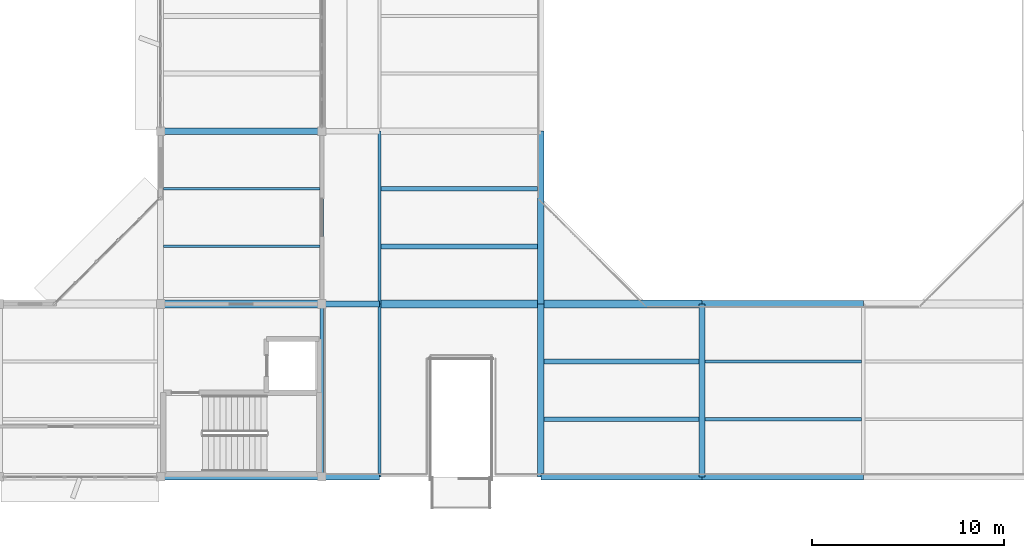
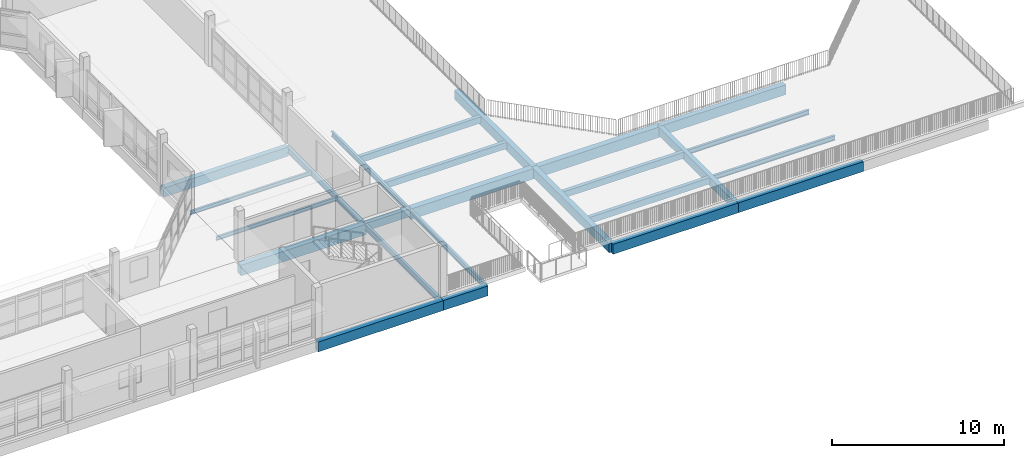
# One storey, part 7 of 42: 25 beams.
"""IFC4 building model written with IfcOpenShell, lengths in metres."""

from ifc_helpers import new_model, si_unit, direction, frame, origin, origin_2d, place, context, subcontext, project, spatial, rectangle, i_section, extrude, material, material_profile, profile_set, type_object, element, save


model = new_model("IFC4")

# Units and contexts
model_context = context("Model", 3, precision=1e-05, world=origin(), true_north=direction((0.0, 1.0)))
body_context = subcontext(model_context, "Body", "Model", "MODEL_VIEW")
ifc_project = project(units=[si_unit("LENGTHUNIT", "METRE"), si_unit("AREAUNIT", "SQUARE_METRE"), si_unit("VOLUMEUNIT", "CUBIC_METRE"), si_unit("PLANEANGLEUNIT", "RADIAN"), si_unit("MASSUNIT", "GRAM", prefix="KILO")], contexts=[model_context])

# Site, building, storey
site_placement = place(None, origin())
site = spatial("IfcSite", under=ifc_project, at=site_placement, CompositionType="ELEMENT")
building_placement = place(site_placement, origin())
building = spatial("IfcBuilding", under=site, at=building_placement, Name="Vanh Quang Courtyard School", CompositionType="ELEMENT")
storey_placement = place(building_placement, frame((0.0, 0.0, 15.0)))
storey = spatial("IfcBuildingStorey", under=building, at=storey_placement, Name="L04", CompositionType="ELEMENT", Elevation=15.0)

# Beams
ifc_material_1 = material(Name="Concrete C35/45", Category="concrete")
ifc_material_profile_1 = material_profile(ifc_material_1, rectangle(XDim=0.300048828125, YDim=0.550048828125, at=origin_2d()), Name="RC-BM 300x550")
ifc_profile_set_1 = profile_set([ifc_material_profile_1], Name="Concrete C35/45")
beam_type_1 = type_object("IfcBeamType", Name="BM-RC-300x550", PredefinedType="BEAM", material=ifc_profile_set_1)
beam_1_placement = place(storey_placement, frame((74.39990234375, 41.39990234375, -0.594970703125), z_axis=(1.0, 0.0, 0.0), x_axis=(0.0, 1.0, 0.0)))
element("IfcBeam", 1, at=beam_1_placement, inside=storey, type_object=beam_type_1, Name="Beam B-07 (L04)", PredefinedType="BEAM", context=body_context, shape_type="SweptSolid", body=[
    extrude(rectangle(XDim=0.300048828125, YDim=0.550048828125, at=origin_2d()), origin(), (0.0, 0.0, 1.0), 3.0),
])
ifc_material_profile_2 = material_profile(ifc_material_1, rectangle(XDim=0.300048828125, YDim=0.60009765625, at=origin_2d()), Name="RC-BM 300x600")
ifc_profile_set_2 = profile_set([ifc_material_profile_2], Name="Concrete C35/45")
beam_type_2 = type_object("IfcBeamType", Name="BM-RC-300x600", PredefinedType="BEAM", material=ifc_profile_set_2)
beam_2_placement = place(storey_placement, frame((94.199951171875, 32.39990234375, -0.6201171875), z_axis=(0.0, 1.0, 0.0), x_axis=(-1.0, 0.0, 0.0)))
element("IfcBeam", 2, at=beam_2_placement, inside=storey, type_object=beam_type_2, Name="Beam B-06 (L04)", PredefinedType="BEAM", context=body_context, shape_type="SweptSolid", body=[
    extrude(rectangle(XDim=0.300048828125, YDim=0.60009765625, at=origin_2d()), origin(), (0.0, 0.0, 1.0), 9.0),
])
ifc_material_profile_3 = material_profile(ifc_material_1, rectangle(XDim=0.35009765625, YDim=0.64990234375, at=origin_2d()), Name="RC-BM 350x650")
ifc_profile_set_3 = profile_set([ifc_material_profile_3], Name="Concrete C35/45")
beam_type_3 = type_object("IfcBeamType", Name="BM-RC-350x650", PredefinedType="BEAM", material=ifc_profile_set_3)
beam_3_placement = place(storey_placement, frame((66.0, 50.39990234375, -0.64501953125), z_axis=(1.0, 0.0, 0.0), x_axis=(0.0, 1.0, 0.0)))
element("IfcBeam", 3, at=beam_3_placement, inside=storey, type_object=beam_type_3, Name="Beam B-05 (L04)", PredefinedType="BEAM", context=body_context, shape_type="SweptSolid", body=[
    extrude(rectangle(XDim=0.35009765625, YDim=0.64990234375, at=origin_2d()), origin(), (0.0, 0.0, 1.0), 8.39990234375),
])
for number, where, z_axis, x_axis, name in (
    (4, (85.800048828125, 32.39990234375, -0.64501953125), (0.0, 1.0, 0.0), (-1.0, 0.0, 0.0), "Beam B-05 (L04)"),
    (5, (85.800048828125, 41.39990234375, -0.64501953125), (0.0, 1.0, 0.0), (-1.0, 0.0, 0.0), "Beam B-05 (L04)"),
):
    element("IfcBeam", number, at=place(storey_placement, frame(where, z_axis=z_axis, x_axis=x_axis)), inside=storey, type_object=beam_type_3, Name=name, PredefinedType="BEAM", context=body_context, shape_type="SweptSolid", body=[
        extrude(rectangle(XDim=0.35009765625, YDim=0.64990234375, at=origin_2d()), origin(), (0.0, 0.0, 1.0), 9.0),
    ])
ifc_material_profile_4 = material_profile(ifc_material_1, rectangle(XDim=0.35009765625, YDim=0.699951171875, at=origin_2d()), Name="RC-BM 350x700")
ifc_profile_set_4 = profile_set([ifc_material_profile_4], Name="Concrete C35/45")
beam_type_4 = type_object("IfcBeamType", Name="BM-RC-350x700", PredefinedType="BEAM", material=ifc_profile_set_4)
beam_4_placement = place(storey_placement, frame((66.0, 32.39990234375, -0.669921875), z_axis=(1.0, 0.0, 0.0), x_axis=(0.0, 1.0, 0.0)))
element("IfcBeam", 6, at=beam_4_placement, inside=storey, type_object=beam_type_4, Name="Beam B-04 (L04)", PredefinedType="BEAM", context=body_context, shape_type="SweptSolid", body=[
    extrude(rectangle(XDim=0.35009765625, YDim=0.699951171875, at=origin_2d()), origin(), (0.0, 0.0, 1.0), 8.39990234375),
])
beam_5_placement = place(storey_placement, frame((74.39990234375, 32.39990234375, -0.669921875), z_axis=(1.0, 0.0, 0.0), x_axis=(0.0, 1.0, 0.0)))
element("IfcBeam", 7, at=beam_5_placement, inside=storey, type_object=beam_type_4, Name="Beam B-04 (L04)", PredefinedType="BEAM", context=body_context, shape_type="SweptSolid", body=[
    extrude(rectangle(XDim=0.35009765625, YDim=0.699951171875, at=origin_2d()), origin(), (0.0, 0.0, 1.0), 3.0),
])
beam_6_placement = place(storey_placement, frame((85.800048828125, 32.39990234375, -0.669921875), z_axis=(1.0, 0.0, 0.0), x_axis=(0.0, 1.0, 0.0)))
element("IfcBeam", 8, at=beam_6_placement, inside=storey, type_object=beam_type_4, Name="Beam B-04 (L04)", PredefinedType="BEAM", context=body_context, shape_type="SweptSolid", body=[
    extrude(rectangle(XDim=0.35009765625, YDim=0.699951171875, at=origin_2d()), origin(), (0.0, 0.0, 1.0), 8.39990234375),
])
for number, where, z_axis, x_axis, name in (
    (9, (94.199951171875, 32.39990234375, -0.669921875), (1.0, 0.0, 0.0), (0.0, 1.0, 0.0), "Beam B-04 (L04)"),
    (10, (94.199951171875, 41.39990234375, -0.669921875), (1.0, 0.0, 0.0), (0.0, 1.0, 0.0), "Beam B-04 (L04)"),
):
    element("IfcBeam", number, at=place(storey_placement, frame(where, z_axis=z_axis, x_axis=x_axis)), inside=storey, type_object=beam_type_4, Name=name, PredefinedType="BEAM", context=body_context, shape_type="SweptSolid", body=[
        extrude(rectangle(XDim=0.35009765625, YDim=0.699951171875, at=origin_2d()), origin(), (0.0, 0.0, 1.0), 8.400146484375),
    ])
ifc_material_profile_5 = material_profile(ifc_material_1, rectangle(XDim=0.39990234375, YDim=0.75, at=origin_2d()), Name="RC-BM 400x750")
ifc_profile_set_5 = profile_set([ifc_material_profile_5], Name="Concrete C35/45")
beam_type_5 = type_object("IfcBeamType", Name="BM-RC-400x750", PredefinedType="BEAM", material=ifc_profile_set_5)
beam_7_placement = place(storey_placement, frame((66.0, 41.39990234375, -0.695068359375), z_axis=(1.0, 0.0, 0.0), x_axis=(0.0, 1.0, 0.0)))
element("IfcBeam", 11, at=beam_7_placement, inside=storey, type_object=beam_type_5, Name="Beam B-03 (L04)", PredefinedType="BEAM", context=body_context, shape_type="SweptSolid", body=[
    extrude(rectangle(XDim=0.39990234375, YDim=0.75, at=origin_2d()), origin(), (0.0, 0.0, 1.0), 8.39990234375),
])
beam_8_placement = place(storey_placement, frame((77.39990234375, 41.39990234375, -0.695068359375), z_axis=(1.0, 0.0, 0.0), x_axis=(0.0, 1.0, 0.0)))
element("IfcBeam", 12, at=beam_8_placement, inside=storey, type_object=beam_type_5, Name="Beam B-03 (L04)", PredefinedType="BEAM", context=body_context, shape_type="SweptSolid", body=[
    extrude(rectangle(XDim=0.39990234375, YDim=0.75, at=origin_2d()), origin(), (0.0, 0.0, 1.0), 8.400146484375),
])
beam_9_placement = place(storey_placement, frame((85.800048828125, 41.39990234375, -0.695068359375), z_axis=(1.0, 0.0, 0.0), x_axis=(0.0, 1.0, 0.0)))
element("IfcBeam", 13, at=beam_9_placement, inside=storey, type_object=beam_type_5, Name="Beam B-03 (L04)", PredefinedType="BEAM", context=body_context, shape_type="SweptSolid", body=[
    extrude(rectangle(XDim=0.39990234375, YDim=0.75, at=origin_2d()), origin(), (0.0, 0.0, 1.0), 8.39990234375),
])
ifc_material_2 = material(Name="Structural steel EN 10025-2 S355J2", Category="steel")
ifc_material_profile_6 = material_profile(ifc_material_2, i_section(OverallWidth=0.169921875, OverallDepth=0.360107421875, WebThickness=0.008056640625, FlangeThickness=0.0126953125, FilletRadius=0.01806640625, at=origin_2d()), Name="IPE 360")
ifc_profile_set_6 = profile_set([ifc_material_profile_6], Name="Structural steel EN 10025-2 S355J2")
beam_type_6 = type_object("IfcBeamType", Name="BM-STL-IPE360", PredefinedType="BEAM", material=ifc_profile_set_6)
for number, where, z_axis, x_axis, name in (
    (14, (77.39990234375, 32.39990234375, -0.5), (0.0, 1.0, 0.0), (-1.0, 0.0, 0.0), "Beam SB-06 (L04)"),
    (15, (77.39990234375, 41.39990234375, -0.5), (0.0, 1.0, 0.0), (-1.0, 0.0, 0.0), "Beam SB-06 (L04)"),
):
    element("IfcBeam", number, at=place(storey_placement, frame(where, z_axis=z_axis, x_axis=x_axis)), inside=storey, type_object=beam_type_6, Name=name, PredefinedType="BEAM", context=body_context, shape_type="SweptSolid", body=[
        extrude(i_section(OverallWidth=0.169921875, OverallDepth=0.360107421875, WebThickness=0.008056640625, FlangeThickness=0.0126953125, FilletRadius=0.01806640625, at=origin_2d()), origin(), (0.0, 0.0, 1.0), 9.0),
    ])
ifc_material_profile_7 = material_profile(ifc_material_2, i_section(OverallWidth=0.179931640625, OverallDepth=0.39990234375, WebThickness=0.008544921875, FlangeThickness=0.013427734375, FilletRadius=0.02099609375, at=origin_2d()), Name="IPE 400")
ifc_profile_set_7 = profile_set([ifc_material_profile_7], Name="Structural steel EN 10025-2 S355J2")
beam_type_7 = type_object("IfcBeamType", Name="BM-STL-IPE400", PredefinedType="BEAM", material=ifc_profile_set_7)
for number, where, z_axis, x_axis, name in (
    (16, (74.39990234375, 32.39990234375, -0.52001953125), (0.0, 1.0, 0.0), (-1.0, 0.0, 0.0), "Beam SB-05 (L04)"),
    (17, (74.39990234375, 41.39990234375, -0.52001953125), (0.0, 1.0, 0.0), (-1.0, 0.0, 0.0), "Beam SB-05 (L04)"),
):
    element("IfcBeam", number, at=place(storey_placement, frame(where, z_axis=z_axis, x_axis=x_axis)), inside=storey, type_object=beam_type_7, Name=name, PredefinedType="BEAM", context=body_context, shape_type="SweptSolid", body=[
        extrude(i_section(OverallWidth=0.179931640625, OverallDepth=0.39990234375, WebThickness=0.008544921875, FlangeThickness=0.013427734375, FilletRadius=0.02099609375, at=origin_2d()), origin(), (0.0, 0.0, 1.0), 9.0),
    ])
ifc_material_3 = material(Name="Concrete C30/37", Category="concrete")
ifc_material_profile_8 = material_profile(ifc_material_3, rectangle(XDim=0.25, YDim=0.449951171875, at=origin_2d()), Name="RC-JST 250x450")
ifc_profile_set_8 = profile_set([ifc_material_profile_8], Name="Concrete C30/37")
beam_type_8 = type_object("IfcBeamType", Name="JST-RC-250x450", PredefinedType="JOIST", material=ifc_profile_set_8)
for number, where, z_axis, x_axis, name in (
    (18, (77.485107421875, 44.39990234375, -0.544921875), (1.0, 0.0, 0.0), (0.0, 1.0, 0.0), "Beam BJ-02 (L04)"),
    (19, (77.485107421875, 47.39990234375, -0.544921875), (1.0, 0.0, 0.0), (0.0, 1.0, 0.0), "Beam BJ-02 (L04)"),
):
    element("IfcBeam", number, at=place(storey_placement, frame(where, z_axis=z_axis, x_axis=x_axis)), inside=storey, type_object=beam_type_8, Name=name, PredefinedType="JOIST", context=body_context, shape_type="SweptSolid", body=[
        extrude(rectangle(XDim=0.25, YDim=0.449951171875, at=origin_2d()), origin(), (0.0, 0.0, 1.0), 8.139892578125),
    ])
for number, where, z_axis, x_axis, name in (
    (20, (85.97509765625, 35.39990234375, -0.544921875), (1.0, 0.0, 0.0), (0.0, 1.0, 0.0), "Beam BJ-02 (L04)"),
    (21, (85.97509765625, 38.39990234375, -0.544921875), (1.0, 0.0, 0.0), (0.0, 1.0, 0.0), "Beam BJ-02 (L04)"),
):
    element("IfcBeam", number, at=place(storey_placement, frame(where, z_axis=z_axis, x_axis=x_axis)), inside=storey, type_object=beam_type_8, Name=name, PredefinedType="JOIST", context=body_context, shape_type="SweptSolid", body=[
        extrude(rectangle(XDim=0.25, YDim=0.449951171875, at=origin_2d()), origin(), (0.0, 0.0, 1.0), 8.074951171875),
    ])
ifc_material_profile_9 = material_profile(ifc_material_2, i_section(OverallWidth=0.135009765625, OverallDepth=0.27001953125, WebThickness=0.006591796875, FlangeThickness=0.01025390625, FilletRadius=0.014892578125, at=origin_2d()), Name="IPE 270")
ifc_profile_set_9 = profile_set([ifc_material_profile_9], Name="Structural steel EN 10025-2 S355J2")
beam_type_9 = type_object("IfcBeamType", Name="JST-STL-IPE270", PredefinedType="JOIST", material=ifc_profile_set_9)
for number, where, z_axis, x_axis, name in (
    (22, (66.14990234375, 44.39990234375, -0.39501953125), (1.0, 0.0, 0.0), (0.0, 1.0, 0.0), "Beam SJ-03 (L04)"),
    (23, (66.14990234375, 47.39990234375, -0.39501953125), (1.0, 0.0, 0.0), (0.0, 1.0, 0.0), "Beam SJ-03 (L04)"),
):
    element("IfcBeam", number, at=place(storey_placement, frame(where, z_axis=z_axis, x_axis=x_axis)), inside=storey, type_object=beam_type_9, Name=name, PredefinedType="JOIST", context=body_context, shape_type="SweptSolid", body=[
        extrude(i_section(OverallWidth=0.135009765625, OverallDepth=0.27001953125, WebThickness=0.006591796875, FlangeThickness=0.01025390625, FilletRadius=0.014892578125, at=origin_2d()), origin(), (0.0, 0.0, 1.0), 8.16015625),
    ])
ifc_material_profile_10 = material_profile(ifc_material_2, i_section(OverallWidth=0.159912109375, OverallDepth=0.330078125, WebThickness=0.007568359375, FlangeThickness=0.011474609375, FilletRadius=0.01806640625, at=origin_2d()), Name="IPE 330")
ifc_profile_set_10 = profile_set([ifc_material_profile_10], Name="Structural steel EN 10025-2 S355J2")
beam_type_10 = type_object("IfcBeamType", Name="JST-STL-IPE330", PredefinedType="JOIST", material=ifc_profile_set_10)
for number, where, z_axis, x_axis, name in (
    (24, (94.35009765625, 35.39990234375, -0.485107421875), (1.0, 0.0, 0.0), (0.0, 1.0, 0.0), "Beam SJ-01 (L04)"),
    (25, (94.35009765625, 38.39990234375, -0.485107421875), (1.0, 0.0, 0.0), (0.0, 1.0, 0.0), "Beam SJ-01 (L04)"),
):
    element("IfcBeam", number, at=place(storey_placement, frame(where, z_axis=z_axis, x_axis=x_axis)), inside=storey, type_object=beam_type_10, Name=name, PredefinedType="JOIST", context=body_context, shape_type="SweptSolid", body=[
        extrude(i_section(OverallWidth=0.159912109375, OverallDepth=0.330078125, WebThickness=0.007568359375, FlangeThickness=0.011474609375, FilletRadius=0.01806640625, at=origin_2d()), origin(), (0.0, 0.0, 1.0), 8.159912109375),
    ])

save(model, "model.ifc")
